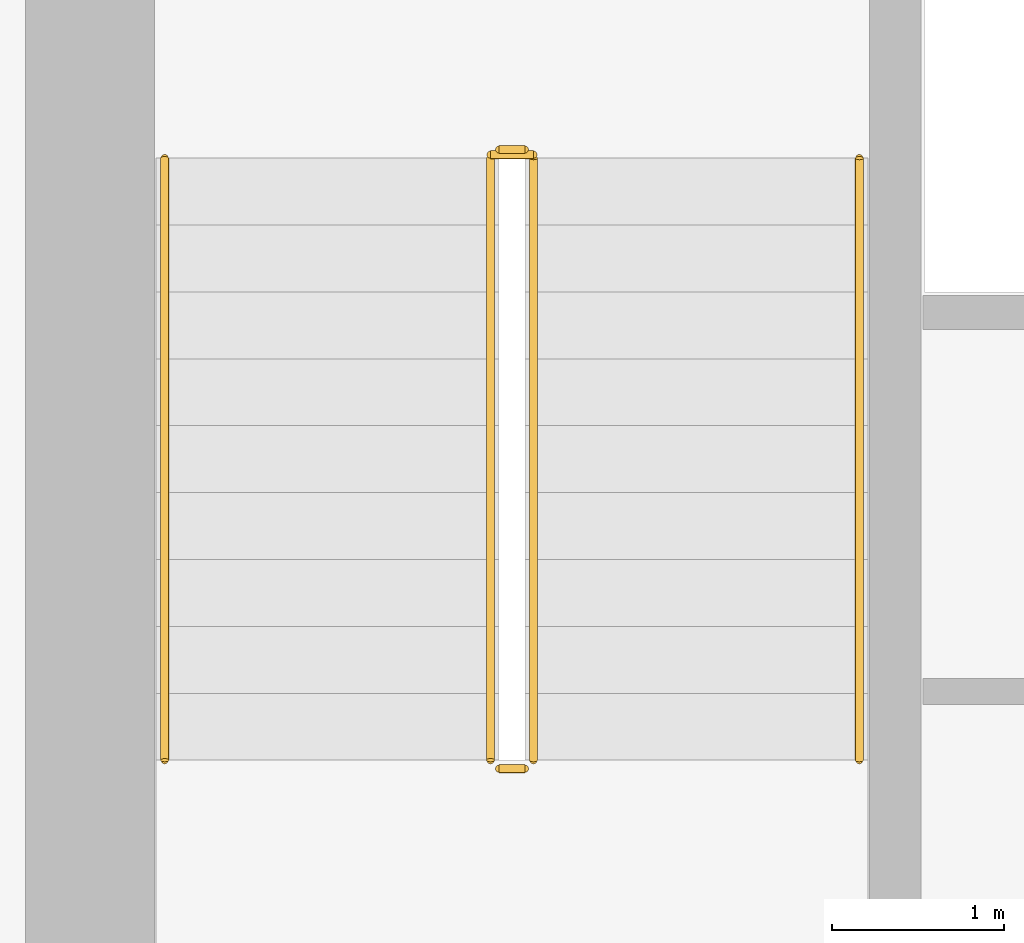
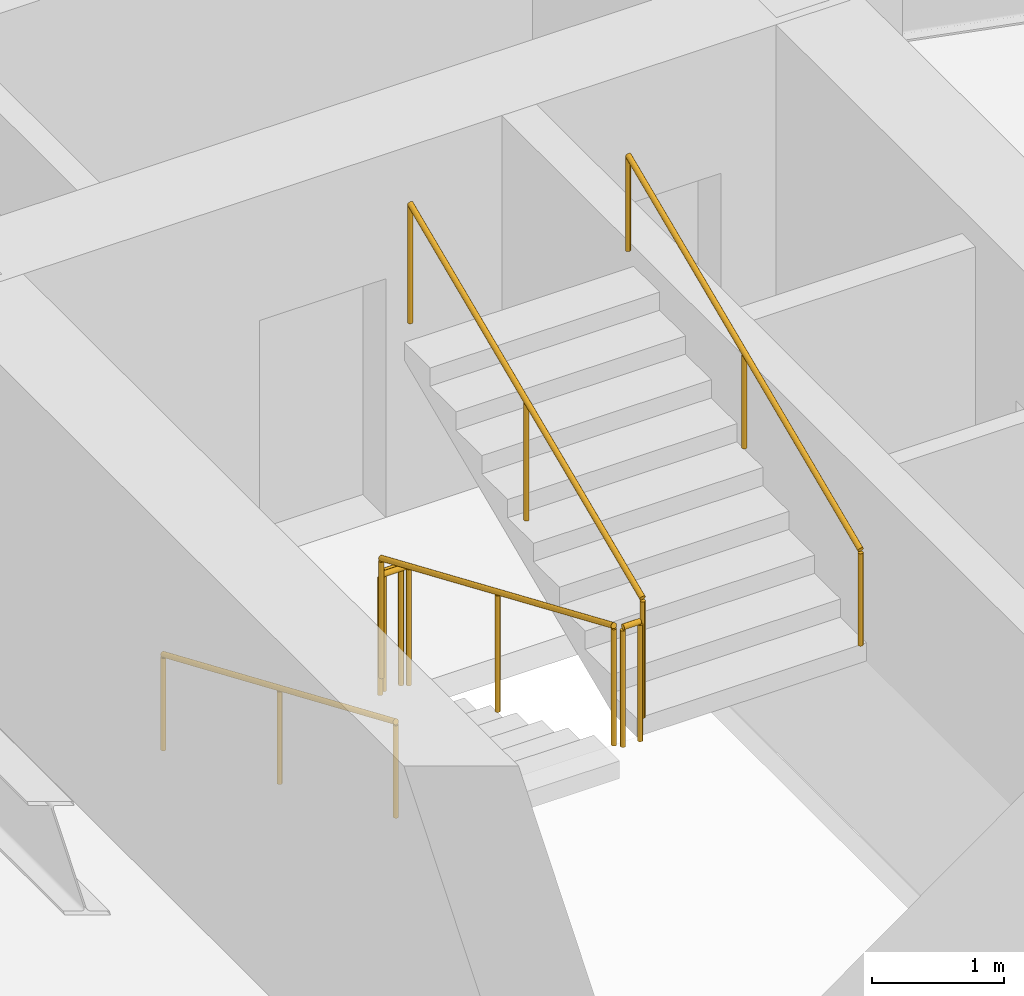
# One storey, part 34 of 38: 7 railings.
"""IFC4 building model written with IfcOpenShell, lengths in metres."""

from ifc_helpers import new_model, si_unit, direction, frame, origin, origin_2d, place, context, subcontext, project, spatial, circle, extrude, material, layer, layer_set, type_object, element, save


model = new_model("IFC4")

# Units and contexts
model_context = context("Model", 3, precision=1e-05, world=origin(), true_north=direction((0.0, 1.0)))
body_context = subcontext(model_context, "Body", "Model", "MODEL_VIEW")
ifc_project = project(units=[si_unit("LENGTHUNIT", "METRE"), si_unit("AREAUNIT", "SQUARE_METRE"), si_unit("VOLUMEUNIT", "CUBIC_METRE"), si_unit("PLANEANGLEUNIT", "RADIAN"), si_unit("MASSUNIT", "GRAM", prefix="KILO")], contexts=[model_context])

# Site, building, storey
site_placement = place(None, origin())
site = spatial("IfcSite", under=ifc_project, at=site_placement, CompositionType="ELEMENT")
building_placement = place(site_placement, origin())
building = spatial("IfcBuilding", under=site, at=building_placement, Name="Hatsunagi Terrace Concourse", CompositionType="ELEMENT")
storey_placement = place(building_placement, frame((0.0, 0.0, 60.050048828125)))
storey = spatial("IfcBuildingStorey", under=building, at=storey_placement, Name="L15", CompositionType="ELEMENT", Elevation=60.050048828125)

# Railings
ifc_material_1 = material(Name="Stainless steel", Category="steel")
ifc_layer_1 = layer(ifc_material_1, 0.044921875)
ifc_layer_set_1 = layer_set([ifc_layer_1], Name="StairPitchHandrail_Tower2000")
railing_type_1 = type_object("IfcRailingType", Name="StairPitchHandrail_Tower2000", PredefinedType="HANDRAIL", material=ifc_layer_set_1)
railing_1_placement = place(storey_placement, frame((36.550048828125, 32.659912109375, 0.16748046875)))
element("IfcRailing", 1, at=railing_1_placement, inside=storey, type_object=railing_type_1, Name="L15 ST-B stair handrail 1", PredefinedType="HANDRAIL", context=body_context, shape_type="SweptSolid", body=[
    extrude(circle(Radius=0.02392578125, at=origin_2d()), frame((0.0, 0.0, 0.8759765625), z_axis=(0.0, -0.918834009242, 0.394644223904), x_axis=(1.0, 0.0, 0.0)), (0.0, 0.0, 1.0), 3.820068359375),
    extrude(circle(Radius=0.02099609375, at=origin_2d()), origin(), (0.0, 0.0, 1.0), 0.851806640625),
    extrude(circle(Radius=0.02099609375, at=origin_2d()), frame((0.0, -1.7548828125, 0.75390625)), (0.0, 0.0, 1.0), 0.851806640625),
    extrude(circle(Radius=0.02099609375, at=origin_2d()), frame((0.0, -3.510009765625, 1.507568359375)), (0.0, 0.0, 1.0), 0.851806640625),
])
railing_2_placement = place(storey_placement, frame((40.60009765625, 29.14990234375, 1.842529296875)))
element("IfcRailing", 2, at=railing_2_placement, inside=storey, type_object=railing_type_1, Name="L15 ST-B stair handrail 2", PredefinedType="HANDRAIL", context=body_context, shape_type="SweptSolid", body=[
    extrude(circle(Radius=0.02392578125, at=origin_2d()), frame((0.0, 0.0, 0.8759765625), z_axis=(0.0, 0.918857182807, 0.394590265469), x_axis=(-1.0, 0.0, 0.0)), (0.0, 0.0, 1.0), 3.820068359375),
    extrude(circle(Radius=0.02099609375, at=origin_2d()), origin(), (0.0, 0.0, 1.0), 0.851806640625),
    extrude(circle(Radius=0.02099609375, at=origin_2d()), frame((0.0, 1.7548828125, 0.753662109375)), (0.0, 0.0, 1.0), 0.851806640625),
    extrude(circle(Radius=0.02099609375, at=origin_2d()), frame((0.0, 3.510009765625, 1.50732421875)), (0.0, 0.0, 1.0), 0.851806640625),
])
ifc_material_2 = material(Name="Stainless steel", Category="steel")
ifc_layer_2 = layer(ifc_material_2, 0.06005859375)
ifc_layer_set_2 = layer_set([ifc_layer_2], Name="StairWellGuard_Tower2000")
railing_type_2 = type_object("IfcRailingType", Name="StairWellGuard_Tower2000", PredefinedType="BALUSTRADE", material=ifc_layer_set_2)
railing_3_placement = place(storey_placement, frame((38.449951171875, 32.659912109375, 0.16748046875)))
element("IfcRailing", 3, at=railing_3_placement, inside=storey, type_object=railing_type_2, Name="L15 ST-B stair guard 1", PredefinedType="BALUSTRADE", context=body_context, shape_type="SweptSolid", body=[
    extrude(circle(Radius=0.02392578125, at=origin_2d()), frame((0.0, 0.0, 1.09619140625), z_axis=(0.0, -0.918834009242, 0.394644223904), x_axis=(1.0, 0.0, 0.0)), (0.0, 0.0, 1.0), 3.820068359375),
    extrude(circle(Radius=0.02099609375, at=origin_2d()), origin(), (0.0, 0.0, 1.0), 1.072021484375),
    extrude(circle(Radius=0.02099609375, at=origin_2d()), frame((0.0, -1.7548828125, 0.75390625)), (0.0, 0.0, 1.0), 1.072021484375),
    extrude(circle(Radius=0.02099609375, at=origin_2d()), frame((0.0, -3.510009765625, 1.507568359375)), (0.0, 0.0, 1.0), 1.072021484375),
])
railing_4_placement = place(storey_placement, frame((38.5, 29.10009765625, 1.675048828125)))
element("IfcRailing", 4, at=railing_4_placement, inside=storey, type_object=railing_type_2, Name="L15 ST-B stair guard 2", PredefinedType="BALUSTRADE", context=body_context, shape_type="SweptSolid", body=[
    extrude(circle(Radius=0.02392578125, at=origin_2d()), frame((0.0, 0.0, 1.09619140625), z_axis=(1.0, 0.0, 0.0), x_axis=(0.0, 1.0, 0.0)), (0.0, 0.0, 1.0), 0.14990234375),
    extrude(circle(Radius=0.02099609375, at=origin_2d()), origin(), (0.0, 0.0, 1.0), 1.072021484375),
    extrude(circle(Radius=0.02099609375, at=origin_2d()), frame((0.14990234375, 0.0, 0.0)), (0.0, 0.0, 1.0), 1.072021484375),
])
railing_5_placement = place(storey_placement, frame((38.699951171875, 29.14990234375, 1.842529296875)))
element("IfcRailing", 5, at=railing_5_placement, inside=storey, type_object=railing_type_2, Name="L15 ST-B stair guard 3", PredefinedType="BALUSTRADE", context=body_context, shape_type="SweptSolid", body=[
    extrude(circle(Radius=0.02392578125, at=origin_2d()), frame((0.0, 0.0, 1.09619140625), z_axis=(0.0, 0.918857182807, 0.394590265469), x_axis=(-1.0, 0.0, 0.0)), (0.0, 0.0, 1.0), 3.820068359375),
    extrude(circle(Radius=0.02099609375, at=origin_2d()), origin(), (0.0, 0.0, 1.0), 1.072021484375),
    extrude(circle(Radius=0.02099609375, at=origin_2d()), frame((0.0, 1.7548828125, 0.753662109375)), (0.0, 0.0, 1.0), 1.072021484375),
    extrude(circle(Radius=0.02099609375, at=origin_2d()), frame((0.0, 3.510009765625, 1.50732421875)), (0.0, 0.0, 1.0), 1.072021484375),
])
railing_6_placement = place(storey_placement, frame((38.5, 32.7099609375, 0.0)))
element("IfcRailing", 6, at=railing_6_placement, inside=storey, type_object=railing_type_2, Name="L15 ST-B stair guard 4", PredefinedType="BALUSTRADE", context=body_context, shape_type="SweptSolid", body=[
    extrude(circle(Radius=0.02392578125, at=origin_2d()), frame((0.0, 0.0, 1.09619140625), z_axis=(1.0, 0.0, 0.0), x_axis=(0.0, 1.0, 0.0)), (0.0, 0.0, 1.0), 0.14990234375),
    extrude(circle(Radius=0.02099609375, at=origin_2d()), origin(), (0.0, 0.0, 1.0), 1.072021484375),
    extrude(circle(Radius=0.02099609375, at=origin_2d()), frame((0.14990234375, 0.0, 0.0)), (0.0, 0.0, 1.0), 1.072021484375),
])
ifc_material_3 = material(Name="Stainless Steel SUS316 Post-and-Rail Guard", Category="steel")
ifc_layer_3 = layer(ifc_material_3, 0.080078125)
ifc_layer_set_3 = layer_set([ifc_layer_3], Name="TerracePlantedGuardRail_1200")
railing_type_3 = type_object("IfcRailingType", Name="TerracePlantedGuardRail_1200", PredefinedType="GUARDRAIL", material=ifc_layer_set_3)
railing_7_placement = place(storey_placement, frame((38.449951171875, 32.679931640625, 0.0)))
element("IfcRailing", 7, at=railing_7_placement, inside=storey, type_object=railing_type_3, Name="Stair ST-B Well Closure Guard L15", PredefinedType="GUARDRAIL", context=body_context, shape_type="SweptSolid", body=[
    extrude(circle(Radius=0.02392578125, at=origin_2d()), frame((0.0, 0.0, 1.09619140625), z_axis=(1.0, 0.0, 0.0), x_axis=(0.0, 1.0, 0.0)), (0.0, 0.0, 1.0), 0.25),
    extrude(circle(Radius=0.02099609375, at=origin_2d()), origin(), (0.0, 0.0, 1.0), 1.072021484375),
    extrude(circle(Radius=0.02099609375, at=origin_2d()), frame((0.25, 0.0, 0.0)), (0.0, 0.0, 1.0), 1.072021484375),
])

save(model, "model.ifc")
